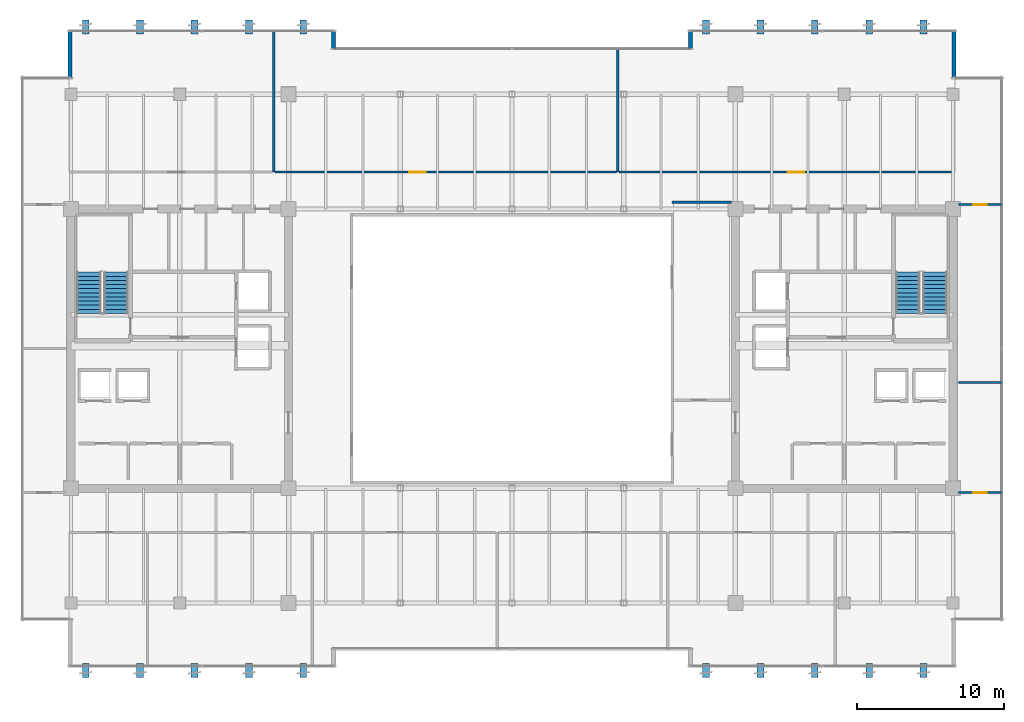
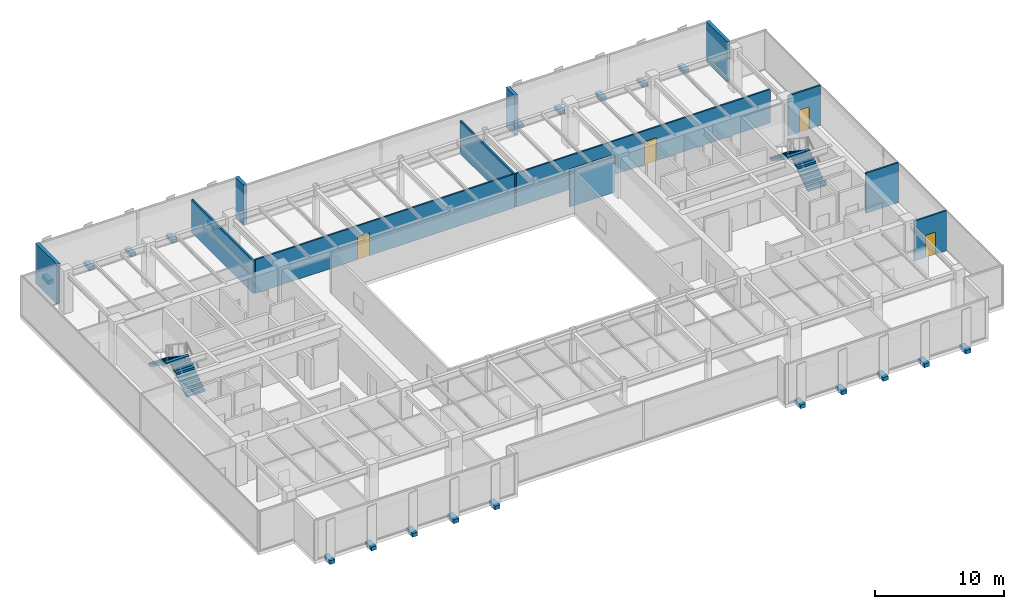
# One storey, part 31 of 36: 20 discrete accessories, 12 walls, 4 doors, 4 stair flights, 4 openings, 2 elements without a shape of their own.
"""IFC4 building model written with IfcOpenShell, lengths in metres."""

from ifc_helpers import new_model, si_unit, direction, frame, frame_2d, origin, origin_2d, place, context, subcontext, project, spatial, polyline, rectangle, outline, extrude, source, transform, mapped, material, layer, layer_set, type_object, type_shapes, element, fill, aggregate, save


model = new_model("IFC4")

# Units and contexts
model_context = context("Model", 3, precision=1e-05, world=origin(), true_north=direction((0.0, 1.0)))
body_context = subcontext(model_context, "Body", "Model", "MODEL_VIEW")
ifc_project = project(units=[si_unit("LENGTHUNIT", "METRE"), si_unit("AREAUNIT", "SQUARE_METRE"), si_unit("VOLUMEUNIT", "CUBIC_METRE"), si_unit("PLANEANGLEUNIT", "RADIAN"), si_unit("MASSUNIT", "GRAM", prefix="KILO")], contexts=[model_context])

# Site, building, storey
site_placement = place(None, origin())
site = spatial("IfcSite", under=ifc_project, at=site_placement, CompositionType="ELEMENT")
building_placement = place(site_placement, origin())
building = spatial("IfcBuilding", under=site, at=building_placement, Name="Haelvirn Gate Laboratories", CompositionType="ELEMENT")
storey_placement = place(building_placement, frame((0.0, 0.0, 242.39990234375)))
storey = spatial("IfcBuildingStorey", under=building, at=storey_placement, Name="L58", CompositionType="ELEMENT", Elevation=242.39990234375)

# Walls
ifc_material_1 = material(Name="Thermally-broken bronze aluminium rainscreen & mineral wool", Category="aluminium")
ifc_layer_1 = layer(ifc_material_1, 0.280029296875, Name="EW-TERR-280")
ifc_layer_set_1 = layer_set([ifc_layer_1], Name="Thermally-broken bronze aluminium rainscreen & mineral wool")
wall_type_1 = type_object("IfcWallType", Name="EW-TERR-280", PredefinedType="STANDARD", material=ifc_layer_set_1)
wall_1_placement = place(storey_placement, frame((67.4599609375, 42.7119140625, 0.0), z_axis=(0.0, 0.0, 1.0), x_axis=(0.0, 1.0, 0.0)))
element("IfcWall", 1, at=wall_1_placement, inside=storey, type_object=wall_type_1, Name="L58 Atrium Recess Bronze Return Wall 09", PredefinedType="STANDARD", context=body_context, shape_type="SweptSolid", body=[
    extrude(rectangle(XDim=3.2880859375, YDim=0.280029296875, at=frame_2d((1.64404296875, 0.0))), origin(), (0.0, 0.0, 1.0), 3.800048828125),
])
for number, where, z_axis, x_axis, name in (
    (2, (49.5400390625, 46.0, 0.0), (0.0, 0.0, 1.0), (0.0, -1.0, 0.0), "L58 Atrium Recess Bronze Return Wall 11"),
    (3, (25.260009765625, 44.70703125, 0.0), (0.0, 0.0, 1.0), (0.0, 1.0, 0.0), "L58 Atrium Recess Bronze Return Wall 13"),
):
    element("IfcWall", number, at=place(storey_placement, frame(where, z_axis=z_axis, x_axis=x_axis)), inside=storey, type_object=wall_type_1, Name=name, PredefinedType="STANDARD", context=body_context, shape_type="SweptSolid", body=[
        extrude(rectangle(XDim=1.29296875, YDim=0.280029296875, at=frame_2d((0.646484375, 0.0))), origin(), (0.0, 0.0, 1.0), 3.800048828125),
    ])
wall_2_placement = place(storey_placement, frame((7.340087890625, 46.0, 0.0), z_axis=(0.0, 0.0, 1.0), x_axis=(0.0, -1.0, 0.0)))
element("IfcWall", 4, at=wall_2_placement, inside=storey, type_object=wall_type_1, Name="L58 Atrium Recess Bronze Return Wall 15", PredefinedType="STANDARD", context=body_context, shape_type="SweptSolid", body=[
    extrude(rectangle(XDim=3.2880859375, YDim=0.280029296875, at=frame_2d((1.64404296875, 0.0))), origin(), (0.0, 0.0, 1.0), 3.800048828125),
])
ifc_material_2 = material(Name="Double-layer acoustic gypsum laboratory partition", Category="gypsum")
ifc_layer_2 = layer(ifc_material_2, 0.159912109375, Name="IW-ACOUST-160")
ifc_layer_set_2 = layer_set([ifc_layer_2], Name="Double-layer acoustic gypsum laboratory partition")
wall_type_2 = type_object("IfcWallType", Name="IW-ACOUST-160", PredefinedType="PARTITIONING", material=ifc_layer_set_2)
wall_3_placement = place(storey_placement, frame((21.199951171875, 36.31005859375, 0.0), z_axis=(0.0, 0.0, 1.0), x_axis=(0.0, 1.0, 0.0)))
element("IfcWall", 5, at=wall_3_placement, inside=storey, type_object=wall_type_2, Name="L58 Interior Wall IW-L58-NDIV-01", PredefinedType="PARTITIONING", context=body_context, shape_type="SweptSolid", body=[
    extrude(rectangle(XDim=9.579833984375, YDim=0.159912109375, at=frame_2d((4.7900390625, 0.0))), origin(), (0.0, 0.0, 1.0), 3.135009765625),
])
wall_4_placement = place(storey_placement, frame((44.60009765625, 36.31005859375, 0.0), z_axis=(0.0, 0.0, 1.0), x_axis=(0.0, 1.0, 0.0)))
element("IfcWall", 6, at=wall_4_placement, inside=storey, type_object=wall_type_2, Name="L58 Interior Wall IW-L58-NDIV-02", PredefinedType="PARTITIONING", context=body_context, shape_type="SweptSolid", body=[
    extrude(rectangle(XDim=8.3798828125, YDim=0.159912109375, at=frame_2d((4.18994140625, 0.0))), origin(), (0.0, 0.0, 1.0), 3.135009765625),
])
ifc_material_3 = material(Name="Fire-rated acoustic gypsum board partition", Category="gypsum")
ifc_layer_3 = layer(ifc_material_3, 0.175048828125, Name="IW-ACOUST-180")
ifc_layer_set_3 = layer_set([ifc_layer_3], Name="Fire-rated acoustic gypsum board partition")
wall_type_3 = type_object("IfcWallType", Name="IW-ACOUST-180", PredefinedType="PARTITIONING", material=ifc_layer_set_3)
wall_5_placement = place(storey_placement, frame((48.300048828125, 34.260009765625, 0.0), z_axis=(0.0, 0.0, 1.0), x_axis=(1.0, 0.0, 0.0)))
element("IfcWall", 7, at=wall_5_placement, inside=storey, type_object=wall_type_3, Name="L58 Interior Wall IW-L58-EPOD-N", PredefinedType="PARTITIONING", context=body_context, shape_type="SweptSolid", body=[
    extrude(rectangle(XDim=4.02490234375, YDim=0.175048828125, at=frame_2d((2.012451171875, 0.0))), origin(), (0.0, 0.0, 1.0), 3.485107421875),
])

# Wall, opening, door
ifc_material_4 = material(Name="Acoustic mineral-wool gypsum board partition", Category="gypsum")
ifc_layer_4 = layer(ifc_material_4, 0.139892578125, Name="IW-PART-140")
ifc_layer_set_4 = layer_set([ifc_layer_4], Name="Acoustic mineral-wool gypsum board partition")
wall_type_4 = type_object("IfcWallType", Name="IW-PART-140", PredefinedType="PARTITIONING", material=ifc_layer_set_4)
wall_6_placement = place(storey_placement, frame((21.280029296875, 36.31005859375, 0.0), z_axis=(0.0, 0.0, 1.0), x_axis=(1.0, 0.0, 0.0)))
wall_6 = element("IfcWall", 8, at=wall_6_placement, inside=storey, type_object=wall_type_4, Name="L58 Interior Wall IW-L58-NCORR-02", PredefinedType="PARTITIONING", context=body_context, shape_type="SweptSolid", body=[
    extrude(rectangle(XDim=23.239990234375, YDim=0.139892578125, at=frame_2d((11.6201171875, 0.0))), origin(), (0.0, 0.0, 1.0), 3.197021484375),
])
opening_1_placement = place(wall_6_placement, frame((9.140380859375, 0.0, 0.0)))
opening_1 = element("IfcOpeningElement", 9, at=opening_1_placement, cuts=wall_6, Name="Opening D1", PredefinedType="OPENING", context=body_context, shape_type="SweptSolid", body=[
    extrude(rectangle(XDim=1.10009765625, YDim=2.179931640625, at=frame_2d((0.550048828125, 1.08984375))), frame((0.0, 0.080078125, 0.0), z_axis=(0.0, -1.0, 0.0), x_axis=(1.0, 0.0, 0.0)), (0.0, 0.0, 1.0), 0.159912109375),
])
ifc_material_5 = material(Name="Vision-panel acoustic solid-core timber lab door", Category="wood")
door_type_1 = type_object("IfcDoorType", Name="DR-LAB-1100", OperationType="NOTDEFINED", PredefinedType="DOOR", material=ifc_material_5)
shared_shape_1 = source(origin(), body_context, "Body", "SweptSolid", [
    extrude(rectangle(XDim=1.10009765625, YDim=2.179931640625, at=frame_2d((0.550048828125, 1.08984375))), frame((0.0, 0.02490234375, 0.0), z_axis=(0.0, -1.0, 0.0), x_axis=(1.0, 0.0, 0.0)), (0.0, 0.0, 1.0), 0.050048828125),
])
type_shapes(door_type_1, [shared_shape_1])
door_1_placement = place(opening_1_placement, origin())
door_1 = element("IfcDoor", 10, at=door_1_placement, inside=storey, type_object=door_type_1, Name="L58 Cleanroom Metrology Suite Door N2", OperationType="SINGLE_SWING_LEFT", OverallHeight=2.179931640625, OverallWidth=1.10009765625, PredefinedType="DOOR", context=body_context, shape_type="MappedRepresentation", body=[
    mapped(shared_shape_1, transform((0.0, 0.0, 0.0), scale=1.0)),
])
fill(opening_1, door_1)

wall_7_placement = place(storey_placement, frame((44.679931640625, 36.31005859375, 0.0), z_axis=(0.0, 0.0, 1.0), x_axis=(1.0, 0.0, 0.0)))
wall_7 = element("IfcWall", 11, at=wall_7_placement, inside=storey, type_object=wall_type_4, Name="L58 Interior Wall IW-L58-NCORR-03", PredefinedType="PARTITIONING", context=body_context, shape_type="SweptSolid", body=[
    extrude(rectangle(XDim=22.81005859375, YDim=0.139892578125, at=frame_2d((11.405029296875, 0.0))), origin(), (0.0, 0.0, 1.0), 3.197021484375),
])
opening_2_placement = place(wall_7_placement, frame((11.4853515625, 0.0, 0.0)))
opening_2 = element("IfcOpeningElement", 12, at=opening_2_placement, cuts=wall_7, Name="Opening D1", PredefinedType="OPENING", context=body_context, shape_type="SweptSolid", body=[
    extrude(rectangle(XDim=1.10009765625, YDim=2.179931640625, at=frame_2d((0.550048828125, 1.08984375))), frame((0.0, 0.080078125, 0.0), z_axis=(0.0, -1.0, 0.0), x_axis=(1.0, 0.0, 0.0)), (0.0, 0.0, 1.0), 0.159912109375),
])
door_2_placement = place(opening_2_placement, origin())
door_2 = element("IfcDoor", 13, at=door_2_placement, inside=storey, type_object=door_type_1, Name="L58 Cryo-EM Imaging Suite Door N3", OperationType="SINGLE_SWING_RIGHT", OverallHeight=2.179931640625, OverallWidth=1.10009765625, PredefinedType="DOOR", context=body_context, shape_type="MappedRepresentation", body=[
    mapped(shared_shape_1, transform((0.0, 0.0, 0.0), scale=1.0)),
])
fill(opening_2, door_2)

# Wall
wall_8_placement = place(storey_placement, frame((67.780029296875, 22.0, 0.0), z_axis=(0.0, 0.0, 1.0), x_axis=(1.0, 0.0, 0.0)))
element("IfcWall", 14, at=wall_8_placement, inside=storey, type_object=wall_type_4, Name="L58 Interior Wall IW-L58-EZ3-MID", PredefinedType="PARTITIONING", context=body_context, shape_type="SweptSolid", body=[
    extrude(rectangle(XDim=2.909912109375, YDim=0.139892578125, at=frame_2d((1.455078125, 0.0))), origin(), (0.0, 0.0, 1.0), 3.800048828125),
])

# Wall, opening, door
wall_9_placement = place(storey_placement, frame((67.780029296875, 14.5048828125, 0.0), z_axis=(0.0, 0.0, 1.0), x_axis=(1.0, 0.0, 0.0)))
wall_9 = element("IfcWall", 15, at=wall_9_placement, inside=storey, type_object=wall_type_4, Name="L58 Interior Wall IW-L58-EZ3-ENT-S", PredefinedType="PARTITIONING", context=body_context, shape_type="SweptSolid", body=[
    extrude(rectangle(XDim=2.909912109375, YDim=0.139892578125, at=frame_2d((1.455078125, 0.0))), origin(), (0.0, 0.0, 1.0), 3.800048828125),
])
opening_3_placement = place(wall_9_placement, frame((1.0048828125, 0.0, 0.0)))
opening_3 = element("IfcOpeningElement", 16, at=opening_3_placement, cuts=wall_9, Name="Opening D4", PredefinedType="OPENING", context=body_context, shape_type="SweptSolid", body=[
    extrude(rectangle(XDim=0.89990234375, YDim=2.10009765625, at=frame_2d((0.449951171875, 1.050048828125))), frame((0.0, 0.080078125, 0.0), z_axis=(0.0, -1.0, 0.0), x_axis=(1.0, 0.0, 0.0)), (0.0, 0.0, 1.0), 0.159912109375),
])
ifc_material_6 = material(Name="Glazed aluminium-framed write-up door", Category="aluminium")
door_type_2 = type_object("IfcDoorType", Name="DR-OFF-900", OperationType="NOTDEFINED", PredefinedType="DOOR", material=ifc_material_6)
shared_shape_2 = source(origin(), body_context, "Body", "SweptSolid", [
    extrude(rectangle(XDim=0.89990234375, YDim=2.10009765625, at=frame_2d((0.449951171875, 1.050048828125))), frame((0.0, 0.02490234375, 0.0), z_axis=(0.0, -1.0, 0.0), x_axis=(1.0, 0.0, 0.0)), (0.0, 0.0, 1.0), 0.050048828125),
])
type_shapes(door_type_2, [shared_shape_2])
door_3_placement = place(opening_3_placement, origin())
door_3 = element("IfcDoor", 17, at=door_3_placement, inside=storey, type_object=door_type_2, Name="L58 Floor Hydration & Tea Servery Door E-S", OperationType="SINGLE_SWING_LEFT", OverallHeight=2.10009765625, OverallWidth=0.89990234375, PredefinedType="DOOR", context=body_context, shape_type="MappedRepresentation", body=[
    mapped(shared_shape_2, transform((0.0, 0.0, 0.0), scale=1.0)),
])
fill(opening_3, door_3)

wall_10_placement = place(storey_placement, frame((67.780029296875, 34.094970703125, 0.0), z_axis=(0.0, 0.0, 1.0), x_axis=(1.0, 0.0, 0.0)))
wall_10 = element("IfcWall", 18, at=wall_10_placement, inside=storey, type_object=wall_type_4, Name="L58 Interior Wall IW-L58-EZ3-ENT-N", PredefinedType="PARTITIONING", context=body_context, shape_type="SweptSolid", body=[
    extrude(rectangle(XDim=2.909912109375, YDim=0.139892578125, at=frame_2d((1.455078125, 0.0))), origin(), (0.0, 0.0, 1.0), 3.800048828125),
])
opening_4_placement = place(wall_10_placement, frame((1.0048828125, 0.0, 0.0)))
opening_4 = element("IfcOpeningElement", 19, at=opening_4_placement, cuts=wall_10, Name="Opening D4", PredefinedType="OPENING", context=body_context, shape_type="SweptSolid", body=[
    extrude(rectangle(XDim=0.89990234375, YDim=2.10009765625, at=frame_2d((0.449951171875, 1.050048828125))), frame((0.0, 0.080078125, 0.0), z_axis=(0.0, -1.0, 0.0), x_axis=(1.0, 0.0, 0.0)), (0.0, 0.0, 1.0), 0.159912109375),
])
door_4_placement = place(opening_4_placement, origin())
door_4 = element("IfcDoor", 20, at=door_4_placement, inside=storey, type_object=door_type_2, Name="L58 Proteomics Mass-Spec Laboratory Door E-N", OperationType="SINGLE_SWING_RIGHT", OverallHeight=2.10009765625, OverallWidth=0.89990234375, PredefinedType="DOOR", context=body_context, shape_type="MappedRepresentation", body=[
    mapped(shared_shape_2, transform((0.0, 0.0, 0.0), scale=1.0)),
])
fill(opening_4, door_4)

# Stair, stair flights
ifc_material_7 = material(Name="Concrete C40/50", Category="concrete")
stair_type = type_object("IfcStairType", Name="ST-DOG-1650-R22", PredefinedType="HALF_TURN_STAIR", material=ifc_material_7)
stair_1_placement = place(storey_placement, origin())
stair_1 = element("IfcStair", 21, at=stair_1_placement, inside=storey, type_object=stair_type, Name="L58 Escape Stair ST1", PredefinedType="HALF_TURN_STAIR")
stair_flight_type = type_object("IfcStairFlightType", Name="STF-1650-R11", PredefinedType="STRAIGHT", material=ifc_material_7)
shared_shape_3 = source(origin(), body_context, "Body", "SweptSolid", [
    extrude(outline(polyline([(0.0, 0.0), (0.0, 0.186279296875), (0.280029296875, 0.186279296875), (0.280029296875, 0.372802734375), (0.56005859375, 0.372802734375), (0.56005859375, 0.55908203125), (0.840087890625, 0.55908203125), (0.840087890625, 0.745361328125), (1.1201171875, 0.745361328125), (1.1201171875, 0.931884765625), (1.39990234375, 0.931884765625), (1.39990234375, 1.1181640625), (1.679931640625, 1.1181640625), (1.679931640625, 1.304443359375), (1.9599609375, 1.304443359375), (1.9599609375, 1.490966796875), (2.239990234375, 1.490966796875), (2.239990234375, 1.67724609375), (2.52001953125, 1.67724609375), (2.52001953125, 1.863525390625), (2.800048828125, 1.863525390625), (2.800048828125, 2.050048828125), (2.800048828125, 1.671630859375), (0.28857421875, 0.0), (0.0, 0.0)])), frame((0.0, 0.824951171875, 0.0), z_axis=(0.0, -1.0, 0.0), x_axis=(1.0, 0.0, 0.0)), (0.0, 0.0, 1.0), 1.64990234375),
])
type_shapes(stair_flight_type, [shared_shape_3])
stair_flight_1_placement = place(storey_placement, frame((10.47509765625, 26.699951171875, 0.0), z_axis=(0.0, 0.0, 1.0), x_axis=(0.0, 1.0, 0.0)))
stair_flight_1 = element("IfcStairFlight", 22, at=stair_flight_1_placement, type_object=stair_flight_type, Name="ST1 flight 1", NumberOfRisers=11, NumberOfTreads=10, PredefinedType="STRAIGHT", RiserHeight=0.186363636, TreadLength=0.28, context=body_context, shape_type="MappedRepresentation", body=[
    mapped(shared_shape_3, transform((0.0, 0.0, 0.0), scale=1.0)),
])
stair_flight_2_placement = place(storey_placement, frame((8.625, 29.5, 2.050048828125), z_axis=(0.0, 0.0, 1.0), x_axis=(0.0, -1.0, 0.0)))
stair_flight_2 = element("IfcStairFlight", 23, at=stair_flight_2_placement, type_object=stair_flight_type, Name="ST1 flight 2", NumberOfRisers=11, NumberOfTreads=10, PredefinedType="STRAIGHT", RiserHeight=0.186363636, TreadLength=0.28, context=body_context, shape_type="MappedRepresentation", body=[
    mapped(shared_shape_3, transform((0.0, 0.0, 0.0), scale=1.0)),
])
aggregate(stair_1, [stair_flight_1, stair_flight_2])

stair_2_placement = place(storey_placement, origin())
stair_2 = element("IfcStair", 24, at=stair_2_placement, inside=storey, type_object=stair_type, Name="L58 Escape Stair ST2", PredefinedType="HALF_TURN_STAIR")
stair_flight_3_placement = place(storey_placement, frame((66.175048828125, 26.699951171875, 0.0), z_axis=(0.0, 0.0, 1.0), x_axis=(0.0, 1.0, 0.0)))
stair_flight_3 = element("IfcStairFlight", 25, at=stair_flight_3_placement, type_object=stair_flight_type, Name="ST2 flight 1", NumberOfRisers=11, NumberOfTreads=10, PredefinedType="STRAIGHT", RiserHeight=0.186363636, TreadLength=0.28, context=body_context, shape_type="MappedRepresentation", body=[
    mapped(shared_shape_3, transform((0.0, 0.0, 0.0), scale=1.0)),
])
stair_flight_4_placement = place(storey_placement, frame((64.324951171875, 29.5, 2.050048828125), z_axis=(0.0, 0.0, 1.0), x_axis=(0.0, -1.0, 0.0)))
stair_flight_4 = element("IfcStairFlight", 26, at=stair_flight_4_placement, type_object=stair_flight_type, Name="ST2 flight 2", NumberOfRisers=11, NumberOfTreads=10, PredefinedType="STRAIGHT", RiserHeight=0.186363636, TreadLength=0.28, context=body_context, shape_type="MappedRepresentation", body=[
    mapped(shared_shape_3, transform((0.0, 0.0, 0.0), scale=1.0)),
])
aggregate(stair_2, [stair_flight_3, stair_flight_4])

# Discrete accessories
ifc_material_8 = material(Name="Steel SM355 & duplex stainless anchorage", Category="steel")
discrete_accessory_type = type_object("IfcDiscreteAccessoryType", Name="ACC-BRK-FIN", PredefinedType="BRACKET", material=ifc_material_8)
shared_shape_4 = source(origin(), body_context, "Body", "SweptSolid", [
    extrude(rectangle(XDim=0.4599609375, YDim=0.9599609375, at=origin_2d()), origin(), (0.0, 0.0, 1.0), 0.360107421875),
])
type_shapes(discrete_accessory_type, [shared_shape_4])
for number, where, z_axis, x_axis, name in (
    (27, (8.39990234375, 2.419921875, -0.31982421875), (0.0, 0.0, 1.0), (1.0, 0.0, 0.0), "L58 Stainless Fin Outrigger Bracket S01"),
    (28, (8.39990234375, 46.179931640625, -0.31982421875), (0.0, 0.0, 1.0), (1.0, 0.0, 0.0), "L58 Stainless Fin Outrigger Bracket N01"),
    (29, (12.10009765625, 2.419921875, -0.31982421875), (0.0, 0.0, 1.0), (1.0, 0.0, 0.0), "L58 Stainless Fin Outrigger Bracket S02"),
    (30, (12.10009765625, 46.179931640625, -0.31982421875), (0.0, 0.0, 1.0), (1.0, 0.0, 0.0), "L58 Stainless Fin Outrigger Bracket N02"),
    (31, (15.800048828125, 2.419921875, -0.31982421875), (0.0, 0.0, 1.0), (1.0, 0.0, 0.0), "L58 Stainless Fin Outrigger Bracket S03"),
    (32, (15.800048828125, 46.179931640625, -0.31982421875), (0.0, 0.0, 1.0), (1.0, 0.0, 0.0), "L58 Stainless Fin Outrigger Bracket N03"),
    (33, (19.5, 2.419921875, -0.31982421875), (0.0, 0.0, 1.0), (1.0, 0.0, 0.0), "L58 Stainless Fin Outrigger Bracket S04"),
    (34, (19.5, 46.179931640625, -0.31982421875), (0.0, 0.0, 1.0), (1.0, 0.0, 0.0), "L58 Stainless Fin Outrigger Bracket N04"),
    (35, (23.199951171875, 2.419921875, -0.31982421875), (0.0, 0.0, 1.0), (1.0, 0.0, 0.0), "L58 Stainless Fin Outrigger Bracket S05"),
    (36, (23.199951171875, 46.179931640625, -0.31982421875), (0.0, 0.0, 1.0), (1.0, 0.0, 0.0), "L58 Stainless Fin Outrigger Bracket N05"),
    (37, (50.60009765625, 2.419921875, -0.31982421875), (0.0, 0.0, 1.0), (1.0, 0.0, 0.0), "L58 Stainless Fin Outrigger Bracket S06"),
    (38, (50.60009765625, 46.179931640625, -0.31982421875), (0.0, 0.0, 1.0), (1.0, 0.0, 0.0), "L58 Stainless Fin Outrigger Bracket N06"),
    (39, (54.300048828125, 2.419921875, -0.31982421875), (0.0, 0.0, 1.0), (1.0, 0.0, 0.0), "L58 Stainless Fin Outrigger Bracket S07"),
    (40, (54.300048828125, 46.179931640625, -0.31982421875), (0.0, 0.0, 1.0), (1.0, 0.0, 0.0), "L58 Stainless Fin Outrigger Bracket N07"),
    (41, (58.0, 2.419921875, -0.31982421875), (0.0, 0.0, 1.0), (1.0, 0.0, 0.0), "L58 Stainless Fin Outrigger Bracket S08"),
    (42, (58.0, 46.179931640625, -0.31982421875), (0.0, 0.0, 1.0), (1.0, 0.0, 0.0), "L58 Stainless Fin Outrigger Bracket N08"),
    (43, (61.699951171875, 2.419921875, -0.31982421875), (0.0, 0.0, 1.0), (1.0, 0.0, 0.0), "L58 Stainless Fin Outrigger Bracket S09"),
    (44, (61.699951171875, 46.179931640625, -0.31982421875), (0.0, 0.0, 1.0), (1.0, 0.0, 0.0), "L58 Stainless Fin Outrigger Bracket N09"),
    (45, (65.39990234375, 2.419921875, -0.31982421875), (0.0, 0.0, 1.0), (1.0, 0.0, 0.0), "L58 Stainless Fin Outrigger Bracket S10"),
    (46, (65.39990234375, 46.179931640625, -0.31982421875), (0.0, 0.0, 1.0), (1.0, 0.0, 0.0), "L58 Stainless Fin Outrigger Bracket N10"),
):
    element("IfcDiscreteAccessory", number, at=place(storey_placement, frame(where, z_axis=z_axis, x_axis=x_axis)), inside=storey, type_object=discrete_accessory_type, Name=name, PredefinedType="BRACKET", context=body_context, shape_type="MappedRepresentation", body=[
        mapped(shared_shape_4, transform((0.0, 0.0, 0.0), scale=1.0)),
    ])

save(model, "model.ifc")
